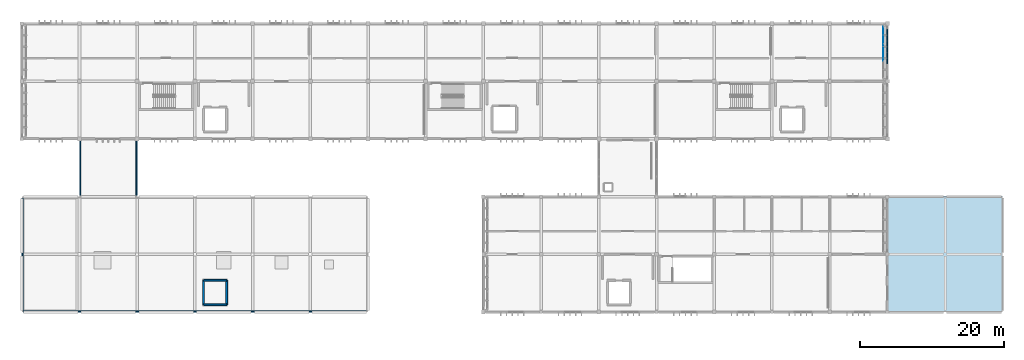
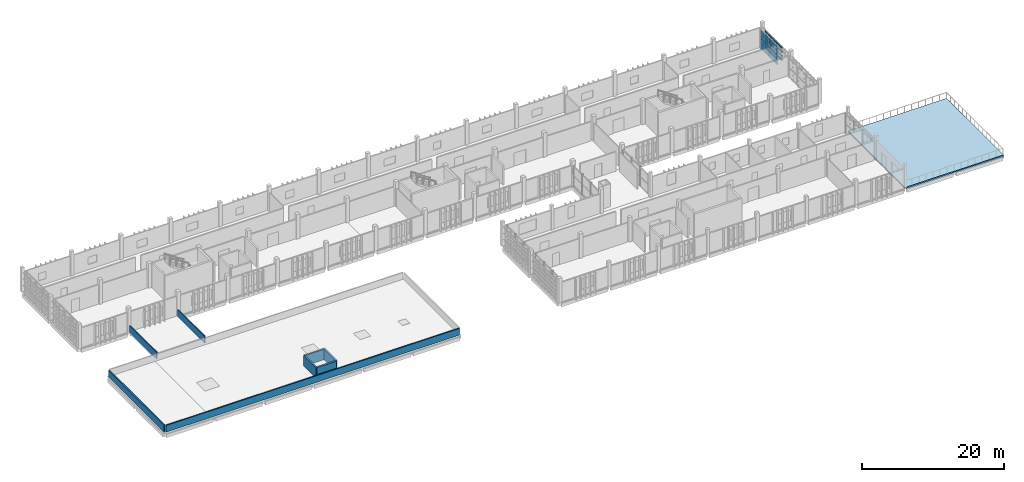
# One storey, part 19 of 32: 18 plates, 8 walls, 1 slab, 1 element without a shape of its own.
"""IFC4 building model written with IfcOpenShell, lengths in metres."""

from ifc_helpers import new_model, si_unit, direction, frame, frame_2d, origin, origin_2d, place, context, subcontext, project, spatial, polyline, rectangle, outline, extrude, material, layer, layer_set, type_object, element, aggregate, save


model = new_model("IFC4")

# Units and contexts
model_context = context("Model", 3, precision=1e-05, world=origin(), true_north=direction((0.0, 1.0)))
body_context = subcontext(model_context, "Body", "Model", "MODEL_VIEW")
ifc_project = project(units=[si_unit("LENGTHUNIT", "METRE"), si_unit("AREAUNIT", "SQUARE_METRE"), si_unit("VOLUMEUNIT", "CUBIC_METRE"), si_unit("PLANEANGLEUNIT", "RADIAN"), si_unit("MASSUNIT", "GRAM", prefix="KILO")], contexts=[model_context])

# Site, building, storey
site_placement = place(None, origin())
site = spatial("IfcSite", under=ifc_project, at=site_placement, CompositionType="ELEMENT")
building_placement = place(site_placement, origin())
building = spatial("IfcBuilding", under=site, at=building_placement, Name="Jelvoka-Kovrelna Polytechnic", CompositionType="ELEMENT")
storey_placement = place(building_placement, frame((0.0, 0.0, 26.39990234375)))
storey = spatial("IfcBuildingStorey", under=building, at=storey_placement, Name="L07", CompositionType="ELEMENT", Elevation=26.39990234375)

# Curtain wall, plates
ifc_material_1 = material(Name="Anodised aluminium 6063-T6", Category="aluminium")
ifc_layer_1 = layer(ifc_material_1, 0.179931640625)
ifc_layer_set_1 = layer_set([ifc_layer_1], Name="Anodised aluminium 6063-T6")
curtain_wall_type = type_object("IfcCurtainWallType", Name="CW_Recessed_B", PredefinedType="NOTDEFINED", material=ifc_layer_set_1)
curtain_wall_placement = place(storey_placement, origin())
curtain_wall = element("IfcCurtainWall", 1, at=curtain_wall_placement, inside=storey, type_object=curtain_wall_type, Name="L07 glazed curtain wall 096", PredefinedType="NOTDEFINED")
ifc_material_2 = material(Name="Solar-control double glazing", Category="glass")
ifc_layer_2 = layer(ifc_material_2, 0.031982421875)
ifc_layer_set_2 = layer_set([ifc_layer_2], Name="Solar-control double glazing")
plate_type_1 = type_object("IfcPlateType", Name="Panel_GP-02", PredefinedType="CURTAIN_PANEL", material=ifc_layer_set_2)
plate_1_placement = place(storey_placement, frame((183.43994140625, 70.3837890625, 0.056884765625), z_axis=(0.0, 0.0, 1.0), x_axis=(0.0, -1.0, 0.0)))
plate_1 = element("IfcPlate", 2, at=plate_1_placement, type_object=plate_type_1, Name="CW-02 panel 1.1", PredefinedType="CURTAIN_PANEL", context=body_context, shape_type="SweptSolid", body=[
    extrude(rectangle(XDim=2.318603515625, YDim=0.031982421875, at=origin_2d()), origin(), (0.0, 0.0, 1.0), 1.593505859375),
])
plate_2_placement = place(storey_placement, frame((183.43994140625, 70.3837890625, 1.699462890625), z_axis=(0.0, 0.0, 1.0), x_axis=(0.0, -1.0, 0.0)))
plate_2 = element("IfcPlate", 3, at=plate_2_placement, type_object=plate_type_1, Name="CW-02 panel 1.2", PredefinedType="CURTAIN_PANEL", context=body_context, shape_type="SweptSolid", body=[
    extrude(rectangle(XDim=2.318603515625, YDim=0.031982421875, at=origin_2d()), origin(), (0.0, 0.0, 1.0), 1.593505859375),
])
plate_3_placement = place(storey_placement, frame((183.43994140625, 68.0, 0.056884765625), z_axis=(0.0, 0.0, 1.0), x_axis=(0.0, -1.0, 0.0)))
plate_3 = element("IfcPlate", 4, at=plate_3_placement, type_object=plate_type_1, Name="CW-02 panel 2.1", PredefinedType="CURTAIN_PANEL", context=body_context, shape_type="SweptSolid", body=[
    extrude(rectangle(XDim=2.35107421875, YDim=0.031982421875, at=origin_2d()), origin(), (0.0, 0.0, 1.0), 1.593505859375),
])
plate_4_placement = place(storey_placement, frame((183.43994140625, 68.0, 1.699462890625), z_axis=(0.0, 0.0, 1.0), x_axis=(0.0, -1.0, 0.0)))
plate_4 = element("IfcPlate", 5, at=plate_4_placement, type_object=plate_type_1, Name="CW-02 panel 2.2", PredefinedType="CURTAIN_PANEL", context=body_context, shape_type="SweptSolid", body=[
    extrude(rectangle(XDim=2.35107421875, YDim=0.031982421875, at=origin_2d()), origin(), (0.0, 0.0, 1.0), 1.593505859375),
])
aggregate(curtain_wall, [plate_1, plate_2, plate_3, plate_4])

# Plates
ifc_material_3 = material(Name="Perforated fired terracotta block", Category="masonry")
ifc_layer_3 = layer(ifc_material_3, 0.169921875)
ifc_layer_set_3 = layer_set([ifc_layer_3], Name="Perforated fired terracotta block")
plate_type_2 = type_object("IfcPlateType", Name="Screen_Terracotta_TP04", PredefinedType="USERDEFINED", material=ifc_layer_set_3)
for number, where, z_axis, x_axis, name in (
    (6, (183.97998046875, 67.199951171875, 0.8828125), (0.0, 0.0, 1.0), (0.0, 1.0, 0.0), "L07 perforated terracotta lattice band 1267"),
    (7, (183.97998046875, 67.199951171875, 1.5751953125), (0.0, 0.0, 1.0), (0.0, 1.0, 0.0), "L07 perforated terracotta lattice band 1268"),
    (8, (183.97998046875, 67.199951171875, 2.267578125), (0.0, 0.0, 1.0), (0.0, 1.0, 0.0), "L07 perforated terracotta lattice band 1269"),
    (9, (183.97998046875, 67.199951171875, 2.9599609375), (0.0, 0.0, 1.0), (0.0, 1.0, 0.0), "L07 perforated terracotta lattice band 1270"),
    (10, (183.97998046875, 68.800048828125, 0.18994140625), (0.0, 0.0, 1.0), (0.0, 1.0, 0.0), "L07 perforated terracotta lattice band 1271"),
    (11, (183.97998046875, 68.800048828125, 0.8828125), (0.0, 0.0, 1.0), (0.0, 1.0, 0.0), "L07 perforated terracotta lattice band 1272"),
    (12, (183.97998046875, 68.800048828125, 1.5751953125), (0.0, 0.0, 1.0), (0.0, 1.0, 0.0), "L07 perforated terracotta lattice band 1273"),
    (13, (183.97998046875, 68.800048828125, 2.267578125), (0.0, 0.0, 1.0), (0.0, 1.0, 0.0), "L07 perforated terracotta lattice band 1274"),
    (14, (183.97998046875, 68.800048828125, 2.9599609375), (0.0, 0.0, 1.0), (0.0, 1.0, 0.0), "L07 perforated terracotta lattice band 1275"),
    (15, (183.97998046875, 70.39990234375, 0.18994140625), (0.0, 0.0, 1.0), (0.0, 1.0, 0.0), "L07 perforated terracotta lattice band 1276"),
    (16, (183.97998046875, 70.39990234375, 0.8828125), (0.0, 0.0, 1.0), (0.0, 1.0, 0.0), "L07 perforated terracotta lattice band 1277"),
    (17, (183.97998046875, 70.39990234375, 1.5751953125), (0.0, 0.0, 1.0), (0.0, 1.0, 0.0), "L07 perforated terracotta lattice band 1278"),
    (18, (183.97998046875, 70.39990234375, 2.267578125), (0.0, 0.0, 1.0), (0.0, 1.0, 0.0), "L07 perforated terracotta lattice band 1279"),
    (19, (183.97998046875, 70.39990234375, 2.9599609375), (0.0, 0.0, 1.0), (0.0, 1.0, 0.0), "L07 perforated terracotta lattice band 1280"),
):
    element("IfcPlate", number, at=place(storey_placement, frame(where, z_axis=z_axis, x_axis=x_axis)), inside=storey, type_object=plate_type_2, Name=name, ObjectType="SCREEN PANEL", PredefinedType="USERDEFINED", context=body_context, shape_type="SweptSolid", body=[
        extrude(rectangle(XDim=1.56005859375, YDim=0.169921875, at=origin_2d()), origin(), (0.0, 0.0, 1.0), 0.260009765625),
    ])

# Slab
ifc_material_4 = material(Name="Concrete C35/45", Category="concrete")
ifc_layer_4 = layer(ifc_material_4, 0.219970703125)
ifc_layer_set_4 = layer_set([ifc_layer_4], Name="Concrete C35/45")
slab_type = type_object("IfcSlabType", Name="Slab_Terrace_220", PredefinedType="FLOOR", material=ifc_layer_set_4)
slab_placement = place(storey_placement, frame((0.0, 0.0, -0.219970703125)))
element("IfcSlab", 20, at=slab_placement, inside=storey, type_object=slab_type, Name="L07 outdoor setback terrace TER-L07-B2EE", PredefinedType="FLOOR", context=body_context, shape_type="SweptSolid", body=[
    extrude(outline(polyline([(184.0, 32.0), (200.0, 32.0), (200.0, 48.0), (184.0, 48.0), (184.0, 32.0)])), origin(), (0.0, 0.0, 1.0), 0.219970703125),
])

# Walls
ifc_material_5 = material(Name="Concrete C40/50", Category="concrete")
ifc_layer_5 = layer(ifc_material_5, 0.25)
ifc_layer_set_5 = layer_set([ifc_layer_5], Name="Concrete C40/50")
wall_type_1 = type_object("IfcWallType", Name="Wall_Core_250", PredefinedType="SOLIDWALL", material=ifc_layer_set_5)
wall_1_placement = place(storey_placement, frame((89.199951171875, 33.0, 0.0), z_axis=(0.0, 0.0, 1.0), x_axis=(1.0, 0.0, 0.0)))
element("IfcWall", 21, at=wall_1_placement, inside=storey, type_object=wall_type_1, Name="L07 interior wall 0448", PredefinedType="SOLIDWALL", context=body_context, shape_type="SweptSolid", body=[
    extrude(rectangle(XDim=3.199951171875, YDim=0.25, at=frame_2d((1.60009765625, 0.0))), origin(), (0.0, 0.0, 1.0), 1.800048828125),
])
wall_2_placement = place(storey_placement, frame((92.39990234375, 33.0, 0.0), z_axis=(0.0, 0.0, 1.0), x_axis=(0.0, 1.0, 0.0)))
element("IfcWall", 22, at=wall_2_placement, inside=storey, type_object=wall_type_1, Name="L07 interior wall 0449", PredefinedType="SOLIDWALL", context=body_context, shape_type="SweptSolid", body=[
    extrude(rectangle(XDim=3.39990234375, YDim=0.25, at=frame_2d((1.699951171875, 0.0))), origin(), (0.0, 0.0, 1.0), 1.800048828125),
])
wall_3_placement = place(storey_placement, frame((92.39990234375, 36.39990234375, 0.0), z_axis=(0.0, 0.0, 1.0), x_axis=(-1.0, 0.0, 0.0)))
element("IfcWall", 23, at=wall_3_placement, inside=storey, type_object=wall_type_1, Name="L07 interior wall 0450", PredefinedType="SOLIDWALL", context=body_context, shape_type="SweptSolid", body=[
    extrude(rectangle(XDim=3.199951171875, YDim=0.25, at=frame_2d((1.60009765625, 0.0))), origin(), (0.0, 0.0, 1.0), 1.800048828125),
])
wall_4_placement = place(storey_placement, frame((89.199951171875, 36.39990234375, 0.0), z_axis=(0.0, 0.0, 1.0), x_axis=(0.0, -1.0, 0.0)))
element("IfcWall", 24, at=wall_4_placement, inside=storey, type_object=wall_type_1, Name="L07 interior wall 0451", PredefinedType="SOLIDWALL", context=body_context, shape_type="SweptSolid", body=[
    extrude(rectangle(XDim=3.39990234375, YDim=0.25, at=frame_2d((1.699951171875, 0.0))), origin(), (0.0, 0.0, 1.0), 1.800048828125),
])
ifc_material_6 = material(Name="Precast concrete C40/50", Category="concrete")
ifc_layer_6 = layer(ifc_material_6, 0.179931640625)
ifc_layer_set_6 = layer_set([ifc_layer_6], Name="Precast concrete C40/50")
wall_type_2 = type_object("IfcWallType", Name="Wall_Parapet_180", PredefinedType="PARAPET", material=ifc_layer_set_6)
for number, where, z_axis, x_axis, name in (
    (25, (79.89990234375, 48.219970703125, 0.0), (0.0, 0.0, 1.0), (0.0, 1.0, 0.0), "L07 exterior wall 1211"),
    (26, (72.10009765625, 55.780029296875, 0.0), (0.0, 0.0, 1.0), (0.0, -1.0, 0.0), "L07 exterior wall 1212"),
):
    element("IfcWall", number, at=place(storey_placement, frame(where, z_axis=z_axis, x_axis=x_axis)), inside=storey, type_object=wall_type_2, Name=name, PredefinedType="PARAPET", context=body_context, shape_type="SweptSolid", body=[
        extrude(rectangle(XDim=7.56005859375, YDim=0.179931640625, at=frame_2d((3.780029296875, 0.0))), origin(), (0.0, 0.0, 1.0), 1.150146484375),
    ])
ifc_material_7 = material(Name="Precast concrete C40/50", Category="concrete")
ifc_layer_7 = layer(ifc_material_7, 0.199951171875)
ifc_layer_set_7 = layer_set([ifc_layer_7], Name="Precast concrete C40/50")
wall_type_3 = type_object("IfcWallType", Name="Wall_Parapet_200", PredefinedType="PARAPET", material=ifc_layer_set_7)
wall_5_placement = place(storey_placement, frame((64.219970703125, 32.10009765625, 0.0), z_axis=(0.0, 0.0, 1.0), x_axis=(1.0, 0.0, 0.0)))
element("IfcWall", 27, at=wall_5_placement, inside=storey, type_object=wall_type_3, Name="L07 exterior wall 1207", PredefinedType="PARAPET", context=body_context, shape_type="SweptSolid", body=[
    extrude(rectangle(XDim=47.56005859375, YDim=0.199951171875, at=frame_2d((23.780029296875, 0.0))), origin(), (0.0, 0.0, 1.0), 1.150146484375),
])
wall_6_placement = place(storey_placement, frame((64.10009765625, 47.780029296875, 0.0), z_axis=(0.0, 0.0, 1.0), x_axis=(0.0, -1.0, 0.0)))
element("IfcWall", 28, at=wall_6_placement, inside=storey, type_object=wall_type_3, Name="L07 exterior wall 1210", PredefinedType="PARAPET", context=body_context, shape_type="SweptSolid", body=[
    extrude(rectangle(XDim=15.56005859375, YDim=0.199951171875, at=frame_2d((7.780029296875, 0.0))), origin(), (0.0, 0.0, 1.0), 1.150146484375),
])

save(model, "model.ifc")
